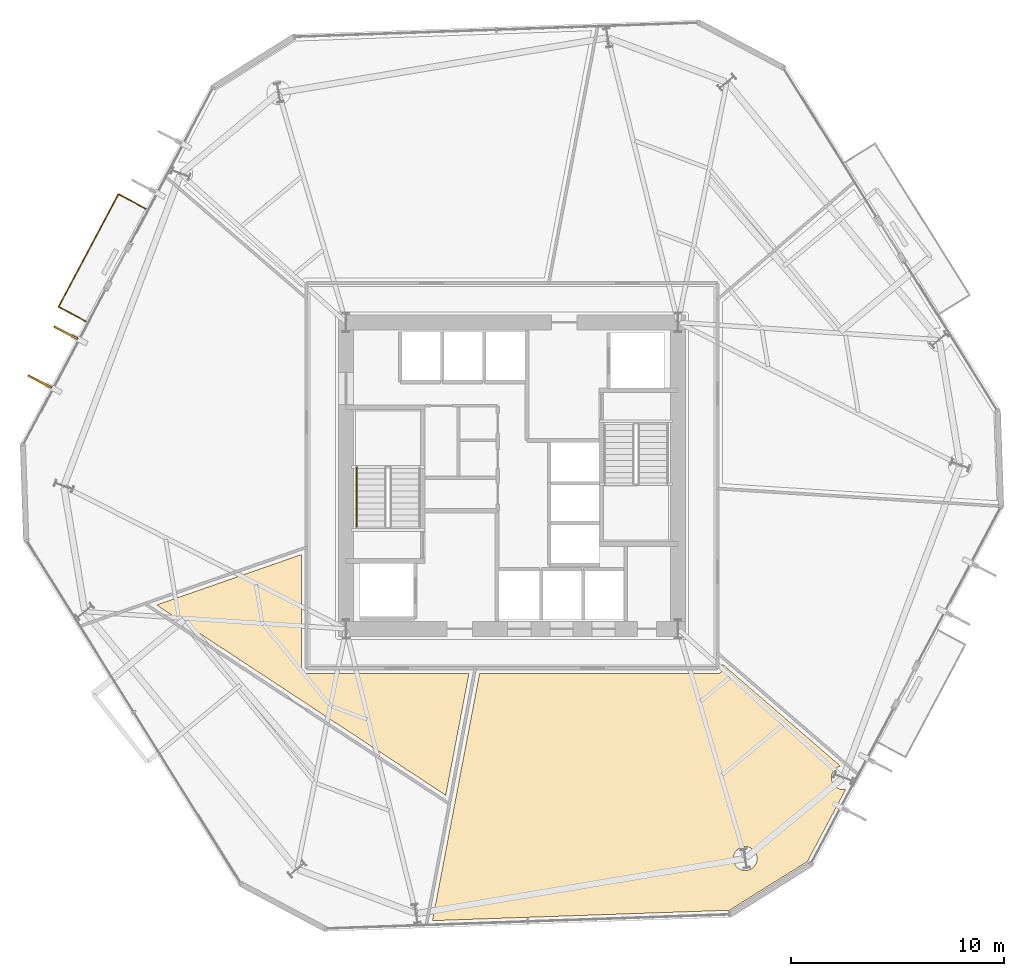
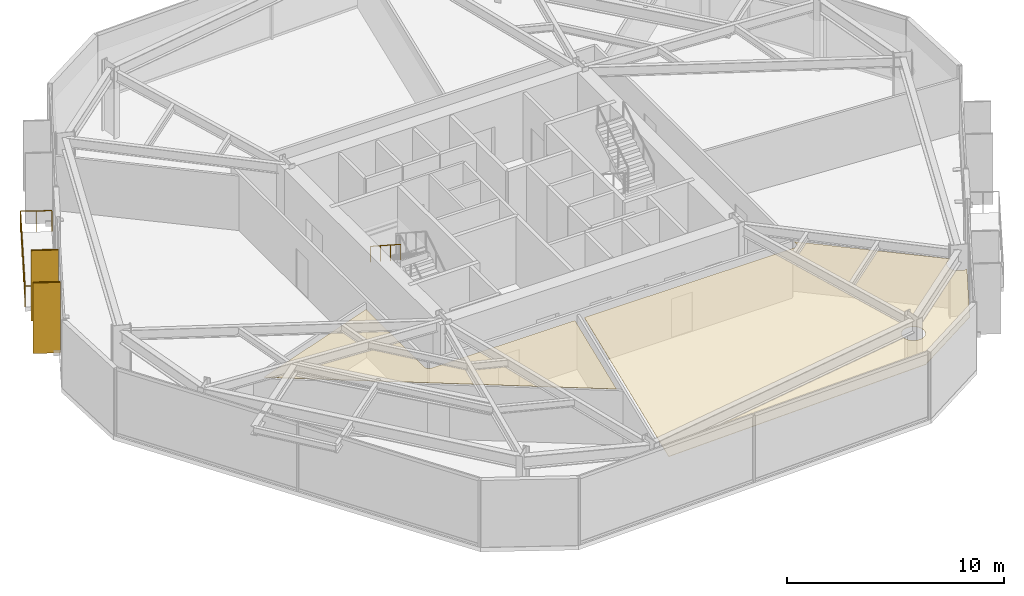
# One storey, part 8 of 10: 4 coverings, 2 railings, 2 shading devices.
"""IFC4 building model written with IfcOpenShell, lengths in metres."""

import ifcopenshell
import ifcopenshell.guid

model = None  # the IFC model being written
_history = None  # IfcOwnerHistory: only IFC2X3 demands one
_inside = {}  # id of a spatial element -> (the spatial element, [elements in it])
_under = {}  # id of a project, library or spatial element -> (it, [spatial elements below it])
_declared = {}  # id of a project -> (the project, [libraries it declares])
_typed = {}  # id of a type object -> (the type object, [elements of that type])
_made_of = {}  # id of a material, layer set ... -> (it, [elements and type objects made of it])


def new_model(schema):
    """Start an empty IFC model of exactly this schema.

    Asked for "IFC4X3", IfcOpenShell would pick the latest addendum, in which some entities
    have other attributes; the version numbers below select the first issue.
    IFC2X3 requires an IfcOwnerHistory on every rooted entity: one is made here for all.
    """
    global model, _history
    if schema == "IFC4X3":
        model = ifcopenshell.file(schema_version=(4, 3, 0, 0))
    else:
        model = ifcopenshell.file(schema=schema)
    _inside.clear()
    _under.clear()
    _declared.clear()
    _typed.clear()
    _made_of.clear()
    _history = None
    if model.schema == "IFC2X3":
        org = make("IfcOrganization", Name="unknown")
        user = make(
            "IfcPersonAndOrganization",
            ThePerson=make("IfcPerson", FamilyName="unknown"),
            TheOrganization=org,
        )
        app = make(
            "IfcApplication",
            ApplicationDeveloper=org,
            Version="unknown",
            ApplicationFullName="unknown",
            ApplicationIdentifier="unknown",
        )
        _history = make(
            "IfcOwnerHistory",
            OwningUser=user,
            OwningApplication=app,
            ChangeAction="ADDED",
            CreationDate=0,
        )
    return model


def make(cls, **values):
    """One entity of the class cls with the attributes given. An attribute that is None is left unset."""
    return model.create_entity(
        cls, **{name: value for name, value in values.items() if value is not None}
    )


def rooted(cls, **values):
    """An entity with a GlobalId (a new one), such as an element, a storey or a relation."""
    return make(cls, GlobalId=ifcopenshell.guid.new(), OwnerHistory=_history, **values)


def si_unit(unit_type, name, prefix=None):
    """IfcSIUnit, for example si_unit("LENGTHUNIT", "METRE", prefix="MILLI")."""
    return make("IfcSIUnit", UnitType=unit_type, Prefix=prefix, Name=name)


def assignment(units):
    """IfcUnitAssignment: the units of a project."""
    return None if units is None else make("IfcUnitAssignment", Units=units)


def point(xyz):
    """IfcCartesianPoint."""
    return None if xyz is None else make("IfcCartesianPoint", Coordinates=xyz)


def direction(xyz):
    """IfcDirection."""
    return None if xyz is None else make("IfcDirection", DirectionRatios=xyz)


def frame(location, z_axis=None, x_axis=None):
    """IfcAxis2Placement3D, a coordinate frame: its origin and axes. An axis left out is left unset."""
    return make(
        "IfcAxis2Placement3D",
        Location=point(location),
        Axis=direction(z_axis),
        RefDirection=direction(x_axis),
    )


def frame_2d(location, x_axis=None):
    """IfcAxis2Placement2D, a coordinate frame in the plane: its origin and x axis."""
    return make(
        "IfcAxis2Placement2D", Location=point(location), RefDirection=direction(x_axis)
    )


def origin():
    """The frame at (0, 0, 0) with its axes left unset."""
    return frame((0.0, 0.0, 0.0))


def origin_2d():
    """The frame at (0, 0) in the plane with its x axis left unset."""
    return frame_2d((0.0, 0.0))


def place(relative_to, where):
    """IfcLocalPlacement: puts the frame where relative to a parent placement (None: the world)."""
    return make(
        "IfcLocalPlacement", PlacementRelTo=relative_to, RelativePlacement=where
    )


def context(
    kind, dimensions, precision=None, world=None, true_north=None, identifier=None
):
    """IfcGeometricRepresentationContext, for example the 3D "Model" context."""
    return make(
        "IfcGeometricRepresentationContext",
        ContextIdentifier=identifier,
        ContextType=kind,
        CoordinateSpaceDimension=dimensions,
        Precision=precision,
        WorldCoordinateSystem=world,
        TrueNorth=true_north,
    )


def subcontext(parent, identifier, kind, view, scale=None):
    """IfcGeometricRepresentationSubContext, for example "Body" below "Model"."""
    return make(
        "IfcGeometricRepresentationSubContext",
        ContextIdentifier=identifier,
        ContextType=kind,
        ParentContext=parent,
        TargetScale=scale,
        TargetView=view,
    )


def project(units=None, contexts=None):
    """IfcProject with its units and contexts."""
    return rooted(
        "IfcProject",
        Name="project",
        RepresentationContexts=contexts,
        UnitsInContext=assignment(units),
    )


def spatial(cls, under=None, at=None, **own):
    """A site, building, storey or space (cls), placed at a placement, below another one or the project."""
    s = rooted(cls, ObjectPlacement=at, **own)
    if under is not None:
        _under.setdefault(under.id(), (under, []))[1].append(s)
    return s


def polyline(points):
    """IfcPolyline through the points."""
    return make("IfcPolyline", Points=[point(p) for p in points])


def profile(cls, at=None, kind="AREA", **sizes):
    """A parametric profile (cls). Its sizes go by their IFC names, for example OverallWidth=200.0."""
    return make(cls, ProfileType=kind, Position=at, **sizes)


def rectangle(**sizes):
    """IfcRectangleProfileDef."""
    return profile("IfcRectangleProfileDef", **sizes)


def circle(**sizes):
    """IfcCircleProfileDef."""
    return profile("IfcCircleProfileDef", **sizes)


def outline(outer, holes=None, kind="AREA"):
    """IfcArbitraryClosedProfileDef: a profile drawn as a closed curve; with holes, ...WithVoids."""
    if holes is None:
        return make("IfcArbitraryClosedProfileDef", ProfileType=kind, OuterCurve=outer)
    return make(
        "IfcArbitraryProfileDefWithVoids",
        ProfileType=kind,
        OuterCurve=outer,
        InnerCurves=holes,
    )


def extrude(swept, where, along, depth):
    """IfcExtrudedAreaSolid: the profile swept, set in the frame where, extruded along a direction by depth."""
    return make(
        "IfcExtrudedAreaSolid",
        SweptArea=swept,
        Position=where,
        ExtrudedDirection=direction(along),
        Depth=depth,
    )


def shape(context_of_items, identifier, shape_type, items):
    """IfcShapeRepresentation: the items that make up one representation, for example the "Body"."""
    return make(
        "IfcShapeRepresentation",
        ContextOfItems=context_of_items,
        RepresentationIdentifier=identifier,
        RepresentationType=shape_type,
        Items=items,
    )


def material(Name=None, Category=None):
    """IfcMaterial."""
    return make("IfcMaterial", Name=Name, Category=Category)


def layer(
    of_material, thickness, ventilated=None, Name=None, Category=None, Priority=None
):
    """IfcMaterialLayer: one layer of a wall or slab, of a material (None: an air gap)."""
    return make(
        "IfcMaterialLayer",
        Material=of_material,
        LayerThickness=thickness,
        IsVentilated=ventilated,
        Name=Name,
        Category=Category,
        Priority=Priority,
    )


def layer_set(layers, Name=None):
    """IfcMaterialLayerSet."""
    return make("IfcMaterialLayerSet", MaterialLayers=layers, LayerSetName=Name)


def made_of(thing, what):
    """Note that an element or type object is made of a material, layer set ...; save() writes the relation."""
    if what is not None:
        _made_of.setdefault(what.id(), (what, []))[1].append(thing)
    return thing


def type_object(cls, material=None, **own):
    """A type object (cls), such as IfcWallType, which elements share."""
    return made_of(rooted(cls, **own), material)


def element(
    cls,
    number,
    at=None,
    inside=None,
    cuts=None,
    type_object=None,
    material=None,
    context=None,
    identifier="Body",
    shape_type=None,
    held_by="IfcProductDefinitionShape",
    body=None,
    shapes=None,
    **own,
):
    """One element of the class cls, such as IfcWall. Its Tag is "e" and its number.

    at: its placement. inside: the storey or other place that contains it. cuts: it is an
    opening in that element (IfcRelVoidsElement). A single representation is given by context,
    identifier, shape_type and body (its items); several are given by shapes. held_by: the class
    of the entity that holds the representations. save() writes the other relations.
    """
    e = rooted(cls, Tag="e%d" % number, ObjectPlacement=at, **own)
    if body is not None:
        shapes = [shape(context, identifier, shape_type, body)]
    if shapes is not None:
        e.Representation = make(held_by, Representations=shapes)
    if inside is not None:
        _inside.setdefault(inside.id(), (inside, []))[1].append(e)
    if cuts is not None:
        rooted(
            "IfcRelVoidsElement", RelatingBuildingElement=cuts, RelatedOpeningElement=e
        )
    if type_object is not None:
        _typed.setdefault(type_object.id(), (type_object, []))[1].append(e)
    return made_of(e, material)


def aggregate(whole, parts):
    """IfcRelAggregates: a whole, such as a stair, and the parts it consists of."""
    return rooted("IfcRelAggregates", RelatingObject=whole, RelatedObjects=parts)


def save(model, path):
    """Write the relations noted so far, then the file.

    IfcRelAggregates (storeys below a building ...), IfcRelContainedInSpatialStructure (elements
    in a storey), IfcRelDefinesByType, IfcRelAssociatesMaterial and IfcRelDeclares: one each for
    every whole, place, type object, material and project.
    """
    for whole, parts in _under.values():
        aggregate(whole, parts)
    for where, things in _inside.values():
        rooted(
            "IfcRelContainedInSpatialStructure",
            RelatedElements=things,
            RelatingStructure=where,
        )
    for kind, things in _typed.values():
        rooted("IfcRelDefinesByType", RelatedObjects=things, RelatingType=kind)
    for what, things in _made_of.values():
        rooted("IfcRelAssociatesMaterial", RelatedObjects=things, RelatingMaterial=what)
    for by, libraries in _declared.values():
        rooted("IfcRelDeclares", RelatingContext=by, RelatedDefinitions=libraries)
    model.write(path)


model = new_model("IFC4")

# Units and contexts
model_context = context("Model", 3, precision=1e-05, world=origin(), true_north=direction((0.0, 1.0)))
body_context = subcontext(model_context, "Body", "Model", "MODEL_VIEW")
ifc_project = project(units=[si_unit("LENGTHUNIT", "METRE"), si_unit("AREAUNIT", "SQUARE_METRE"), si_unit("VOLUMEUNIT", "CUBIC_METRE"), si_unit("PLANEANGLEUNIT", "RADIAN"), si_unit("MASSUNIT", "GRAM", prefix="KILO")], contexts=[model_context])

# Site, building, storey
site_placement = place(None, origin())
site = spatial("IfcSite", under=ifc_project, at=site_placement, CompositionType="ELEMENT")
building_placement = place(site_placement, origin())
building = spatial("IfcBuilding", under=site, at=building_placement, Name="Kranzbogen Civic Tower", CompositionType="ELEMENT")
storey_placement = place(building_placement, frame((0.0, 0.0, 28.0)))
storey = spatial("IfcBuildingStorey", under=building, at=storey_placement, Name="L06", CompositionType="ELEMENT", Elevation=28.0)

# Coverings
ifc_material_1 = material(Name="Pale Anodised Aluminium", Category="aluminium")
ifc_layer_1 = layer(ifc_material_1, 0.02490234375, Name="Pale Anodised Aluminium")
ifc_layer_set_1 = layer_set([ifc_layer_1], Name="Pale Anodised Aluminium")
covering_type_1 = type_object("IfcCoveringType", Name="Anodised Aluminium Vertical Fin Cladding 25 mm", PredefinedType="CLADDING", material=ifc_layer_set_1)
for number, where, z_axis, x_axis, name in (
    (1, (4.0390625, 31.719970703125, -0.139892578125), (0.0, 0.0, 1.0), (-0.888280786255, 0.459300821652, 0.0), "L06 vertical fin pale-metal cladding F3-5"),
    (2, (2.818115234375, 29.424072265625, -0.139892578125), (0.0, 0.0, 1.0), (-0.888280786255, 0.459300821652, 0.0), "L06 vertical fin pale-metal cladding F3-6"),
):
    element("IfcCovering", number, at=place(storey_placement, frame(where, z_axis=z_axis, x_axis=x_axis)), inside=storey, type_object=covering_type_1, Name=name, PredefinedType="CLADDING", context=body_context, shape_type="SweptSolid", body=[
        extrude(rectangle(XDim=1.25, YDim=0.10009765625, at=origin_2d()), origin(), (0.0, 0.0, 1.0), 3.9599609375),
    ])

# Shading devices
ifc_material_2 = material(Name="Anodised Bronze Aluminium", Category="aluminium")
shading_device_type = type_object("IfcShadingDeviceType", Name="Anodised Bronze Vertical Facade Fin 1250x80", PredefinedType="USERDEFINED", material=ifc_material_2)
for number, where, z_axis, x_axis, name in (
    (3, (4.0390625, 31.719970703125, -0.139892578125), (0.0, 0.0, 1.0), (-0.888280786255, 0.459300821652, 0.0), "L06 vertical exterior shading fin F3-5"),
    (4, (2.818115234375, 29.424072265625, -0.139892578125), (0.0, 0.0, 1.0), (-0.888280786255, 0.459300821652, 0.0), "L06 vertical exterior shading fin F3-6"),
):
    element("IfcShadingDevice", number, at=place(storey_placement, frame(where, z_axis=z_axis, x_axis=x_axis)), inside=storey, type_object=shading_device_type, Name=name, ObjectType="FIN", PredefinedType="USERDEFINED", context=body_context, shape_type="SweptSolid", body=[
        extrude(rectangle(XDim=1.25, YDim=0.080078125, at=origin_2d()), origin(), (0.0, 0.0, 1.0), 3.9599609375),
    ])

# Railing
railing_type_1 = type_object("IfcRailingType", Name="Cantilevered Balcony Glass and Bronze Balustrade 1200", PredefinedType="BALUSTRADE", material=ifc_material_2)
railing_1_placement = place(storey_placement, frame((7.7890625, 37.549072265625, 0.0)))
element("IfcRailing", 5, at=railing_1_placement, inside=storey, type_object=railing_type_1, Name="L06 exterior terrace balustrade L06-TB1", PredefinedType="BALUSTRADE", context=body_context, shape_type="SweptSolid", body=[
    extrude(circle(Radius=0.02392578125, at=origin_2d()), frame((0.0, 0.0, 1.17578125), z_axis=(-0.882860505471, 0.469635313706, 0.0), x_axis=(-0.469635313706, -0.882860505471, 0.0)), (0.0, 0.0, 1.0), 1.449951171875),
    extrude(circle(Radius=0.02392578125, at=origin_2d()), frame((-1.280029296875, 0.680908203125, 1.17578125), z_axis=(-0.469483413775, -0.882941291474, 0.0), x_axis=(0.882941291474, -0.469483413775, 0.0)), (0.0, 0.0, 1.0), 6.00048828125),
    extrude(circle(Radius=0.02392578125, at=origin_2d()), frame((-4.09716796875, -4.6171875, 1.17578125), z_axis=(0.882860505471, -0.469635313706, 0.0), x_axis=(0.469635313706, 0.882860505471, 0.0)), (0.0, 0.0, 1.0), 1.449951171875),
    extrude(circle(Radius=0.02099609375, at=origin_2d()), origin(), (0.0, 0.0, 1.0), 1.15185546875),
    extrude(circle(Radius=0.02099609375, at=origin_2d()), frame((-0.64013671875, 0.34033203125, 0.0)), (0.0, 0.0, 1.0), 1.15185546875),
    extrude(circle(Radius=0.02099609375, at=origin_2d()), frame((-1.280029296875, 0.680908203125, 0.0)), (0.0, 0.0, 1.0), 1.15185546875),
    extrude(circle(Radius=0.02099609375, at=origin_2d()), frame((-1.74951171875, -0.2021484375, 0.0)), (0.0, 0.0, 1.0), 1.15185546875),
    extrude(circle(Radius=0.02099609375, at=origin_2d()), frame((-2.218994140625, -1.085205078125, 0.0)), (0.0, 0.0, 1.0), 1.15185546875),
    extrude(circle(Radius=0.02099609375, at=origin_2d()), frame((-2.6884765625, -1.96826171875, 0.0)), (0.0, 0.0, 1.0), 1.15185546875),
    extrude(circle(Radius=0.02099609375, at=origin_2d()), frame((-3.158203125, -2.85107421875, 0.0)), (0.0, 0.0, 1.0), 1.15185546875),
    extrude(circle(Radius=0.02099609375, at=origin_2d()), frame((-3.627685546875, -3.734130859375, 0.0)), (0.0, 0.0, 1.0), 1.15185546875),
    extrude(circle(Radius=0.02099609375, at=origin_2d()), frame((-4.09716796875, -4.6171875, 0.0)), (0.0, 0.0, 1.0), 1.15185546875),
    extrude(circle(Radius=0.02099609375, at=origin_2d()), frame((-3.45703125, -4.95751953125, 0.0)), (0.0, 0.0, 1.0), 1.15185546875),
    extrude(circle(Radius=0.02099609375, at=origin_2d()), frame((-2.817138671875, -5.298095703125, 0.0)), (0.0, 0.0, 1.0), 1.15185546875),
])

# Coverings
ifc_material_3 = material(Name="Perforated Acoustic Gypsum Ceiling")
ifc_layer_2 = layer(ifc_material_3, 0.02490234375, Name="Perforated Acoustic Gypsum Ceiling")
ifc_layer_set_2 = layer_set([ifc_layer_2], Name="Perforated Acoustic Gypsum Ceiling")
covering_type_2 = type_object("IfcCoveringType", Name="Perforated Acoustic Mineral Ceiling Tile 25 mm", PredefinedType="CEILING", material=ifc_layer_set_2)
covering_1_placement = place(storey_placement, frame((0.0, 0.0, 2.89990234375)))
element("IfcCovering", 6, at=covering_1_placement, inside=storey, type_object=covering_type_2, Name="L06 Ministerial Policy Office acoustic ceiling", PredefinedType="CEILING", context=body_context, shape_type="SweptSolid", body=[
    extrude(outline(polyline([(15.10498046875, 15.949951171875), (15.10498046875, 15.94091796875), (15.10595703125, 15.93505859375), (15.10693359375, 15.9169921875), (15.10791015625, 15.910888671875), (15.112060546875, 15.89404296875), (15.113037109375, 15.886962890625), (15.117919921875, 15.8701171875), (15.1201171875, 15.864013671875), (15.126953125, 15.847900390625), (15.1298828125, 15.842041015625), (15.137939453125, 15.826904296875), (15.14208984375, 15.821044921875), (15.15087890625, 15.806884765625), (15.155029296875, 15.802001953125), (15.166015625, 15.7880859375), (15.1708984375, 15.782958984375), (15.18310546875, 15.77099609375), (15.18798828125, 15.76611328125), (15.201904296875, 15.7548828125), (15.20703125, 15.7509765625), (15.220947265625, 15.741943359375), (15.22705078125, 15.738037109375), (15.241943359375, 15.72998046875), (15.248046875, 15.72705078125), (15.263916015625, 15.719970703125), (15.27001953125, 15.718017578125), (15.287109375, 15.712890625), (15.2939453125, 15.7119140625), (15.31103515625, 15.7080078125), (15.31689453125, 15.70703125), (15.3349609375, 15.7060546875), (15.341064453125, 15.705078125), (15.35009765625, 15.705078125), (22.97900390625, 15.705078125), (21.887939453125, 9.985107421875), (8.300048828125, 18.923095703125), (15.10498046875, 21.2939453125), (15.10498046875, 15.949951171875)])), origin(), (0.0, 0.0, 1.0), 0.025146484375),
])
covering_2_placement = place(storey_placement, frame((0.0, 0.0, 2.89990234375)))
element("IfcCovering", 7, at=covering_2_placement, inside=storey, type_object=covering_type_2, Name="L06 Legal Counsel Office acoustic ceiling", PredefinedType="CEILING", context=body_context, shape_type="SweptSolid", body=[
    extrude(outline(polyline([(35.208984375, 4.58203125), (21.263916015625, 4.093994140625), (23.47705078125, 15.705078125), (34.64990234375, 15.705078125), (34.658935546875, 15.705078125), (34.6650390625, 15.7060546875), (34.68310546875, 15.70703125), (34.68896484375, 15.7080078125), (34.7060546875, 15.7119140625), (34.712890625, 15.712890625), (34.72998046875, 15.718017578125), (34.736083984375, 15.719970703125), (34.751953125, 15.72705078125), (34.758056640625, 15.72998046875), (34.77294921875, 15.738037109375), (34.779052734375, 15.741943359375), (34.79296875, 15.7509765625), (34.798095703125, 15.7548828125), (34.81201171875, 15.76611328125), (34.81689453125, 15.77099609375), (34.8291015625, 15.782958984375), (34.833984375, 15.7880859375), (34.844970703125, 15.802001953125), (34.84912109375, 15.806884765625), (34.85791015625, 15.821044921875), (34.862060546875, 15.826904296875), (34.8701171875, 15.842041015625), (34.873046875, 15.847900390625), (34.8798828125, 15.864013671875), (34.882080078125, 15.8701171875), (34.886962890625, 15.886962890625), (34.887939453125, 15.89404296875), (34.89208984375, 15.910888671875), (34.89306640625, 15.9169921875), (34.89404296875, 15.93505859375), (34.89501953125, 15.94091796875), (34.89501953125, 15.949951171875), (34.89501953125, 16.136962890625), (40.43701171875, 11.35400390625), (40.405029296875, 11.345947265625), (40.35302734375, 11.327880859375), (40.302978515625, 11.303955078125), (40.256103515625, 11.27587890625), (40.2119140625, 11.242919921875), (40.1708984375, 11.20703125), (40.135009765625, 11.166015625), (40.10205078125, 11.1220703125), (40.073974609375, 11.074951171875), (40.050048828125, 11.02490234375), (40.031982421875, 10.972900390625), (40.01806640625, 10.919921875), (40.010009765625, 10.865966796875), (40.008056640625, 10.81103515625), (40.010009765625, 10.756103515625), (40.01806640625, 10.701904296875), (40.031982421875, 10.64892578125), (40.050048828125, 10.596923828125), (40.073974609375, 10.547119140625), (40.10205078125, 10.5), (40.135009765625, 10.4560546875), (40.1708984375, 10.4150390625), (40.2119140625, 10.37890625), (40.256103515625, 10.345947265625), (40.302978515625, 10.318115234375), (40.35302734375, 10.2939453125), (40.405029296875, 10.27587890625), (40.4580078125, 10.261962890625), (40.511962890625, 10.25390625), (40.56689453125, 10.251953125), (40.6220703125, 10.25390625), (40.676025390625, 10.261962890625), (40.678955078125, 10.262939453125), (38.876953125, 6.873046875), (35.208984375, 4.58203125)]), holes=[polyline([(36.47509765625, 6.798095703125), (36.450927734375, 6.748046875), (36.423095703125, 6.700927734375), (36.389892578125, 6.656982421875), (36.35400390625, 6.615966796875), (36.31298828125, 6.580078125), (36.26904296875, 6.547119140625), (36.221923828125, 6.51904296875), (36.172119140625, 6.4951171875), (36.1201171875, 6.47705078125), (36.06689453125, 6.462890625), (36.012939453125, 6.455078125), (35.9580078125, 6.452880859375), (35.903076171875, 6.455078125), (35.84912109375, 6.462890625), (35.7958984375, 6.47705078125), (35.743896484375, 6.4951171875), (35.694091796875, 6.51904296875), (35.64697265625, 6.547119140625), (35.60302734375, 6.580078125), (35.56201171875, 6.615966796875), (35.52587890625, 6.656982421875), (35.492919921875, 6.700927734375), (35.465087890625, 6.748046875), (35.44091796875, 6.798095703125), (35.423095703125, 6.85009765625), (35.408935546875, 6.903076171875), (35.40087890625, 6.95703125), (35.39892578125, 7.011962890625), (35.40087890625, 7.06689453125), (35.408935546875, 7.12109375), (35.423095703125, 7.174072265625), (35.44091796875, 7.22607421875), (35.465087890625, 7.27587890625), (35.492919921875, 7.322998046875), (35.52587890625, 7.366943359375), (35.56201171875, 7.407958984375), (35.60302734375, 7.444091796875), (35.64697265625, 7.47705078125), (35.694091796875, 7.5048828125), (35.743896484375, 7.529052734375), (35.7958984375, 7.547119140625), (35.84912109375, 7.56103515625), (35.903076171875, 7.569091796875), (35.9580078125, 7.571044921875), (36.012939453125, 7.569091796875), (36.06689453125, 7.56103515625), (36.1201171875, 7.547119140625), (36.172119140625, 7.529052734375), (36.221923828125, 7.5048828125), (36.26904296875, 7.47705078125), (36.31298828125, 7.444091796875), (36.35400390625, 7.407958984375), (36.389892578125, 7.366943359375), (36.423095703125, 7.322998046875), (36.450927734375, 7.27587890625), (36.47509765625, 7.22607421875), (36.492919921875, 7.174072265625), (36.507080078125, 7.12109375), (36.514892578125, 7.06689453125), (36.51708984375, 7.011962890625), (36.514892578125, 6.95703125), (36.507080078125, 6.903076171875), (36.492919921875, 6.85009765625), (36.47509765625, 6.798095703125)])]), origin(), (0.0, 0.0, 1.0), 0.025146484375),
])

# Railing
railing_type_2 = type_object("IfcRailingType", Name="Tubular Stainless Stair Wall Handrail 900", PredefinedType="HANDRAIL", material=ifc_material_1)
railing_2_placement = place(storey_placement, frame((17.699951171875, 25.39990234375, 2.181884765625)))
element("IfcRailing", 8, at=railing_2_placement, inside=storey, type_object=railing_type_2, Name="L06 ST-T1 stair handrail 2", PredefinedType="HANDRAIL", context=body_context, shape_type="SweptSolid", body=[
    extrude(circle(Radius=0.02392578125, at=origin_2d()), frame((0.0, 0.0, 0.8759765625), z_axis=(0.0, -0.83868413941, 0.544618136222), x_axis=(1.0, 0.0, 0.0)), (0.0, 0.0, 1.0), 3.33837890625),
    extrude(circle(Radius=0.02099609375, at=origin_2d()), origin(), (0.0, 0.0, 1.0), 0.851806640625),
    extrude(circle(Radius=0.02099609375, at=origin_2d()), frame((0.0, -0.933349609375, 0.60595703125)), (0.0, 0.0, 1.0), 0.851806640625),
    extrude(circle(Radius=0.02099609375, at=origin_2d()), frame((0.0, -1.866455078125, 1.212158203125)), (0.0, 0.0, 1.0), 0.851806640625),
    extrude(circle(Radius=0.02099609375, at=origin_2d()), frame((0.0, -2.7998046875, 1.818115234375)), (0.0, 0.0, 1.0), 0.851806640625),
])

save(model, "model.ifc")
